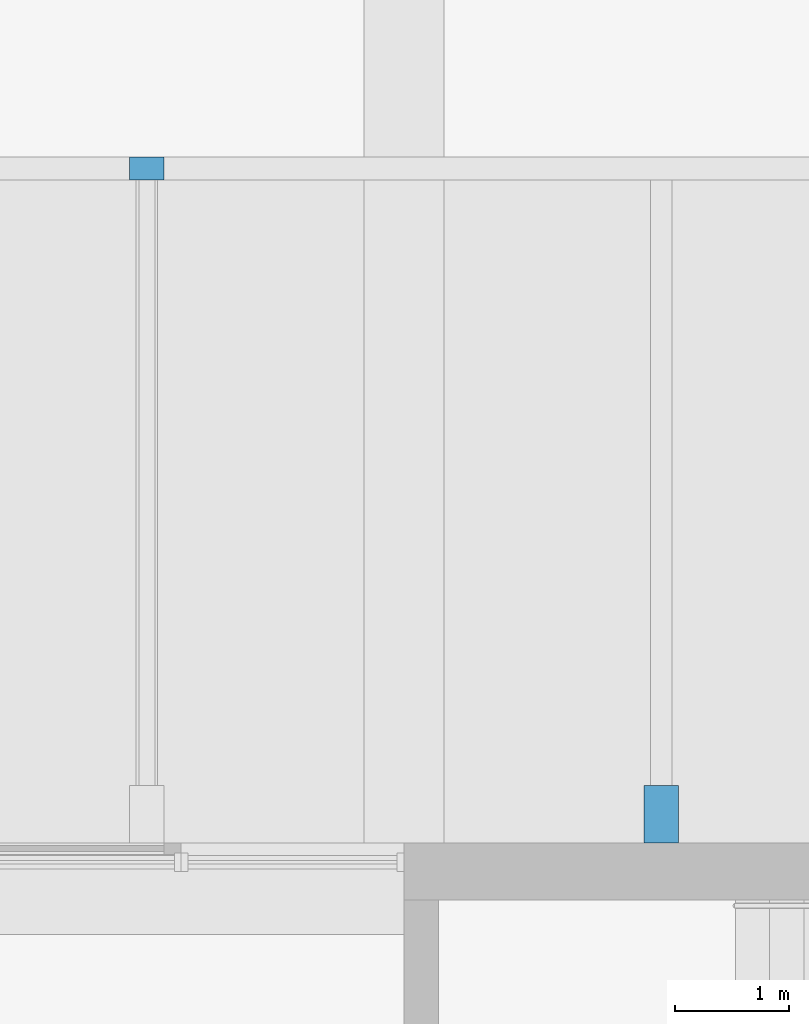
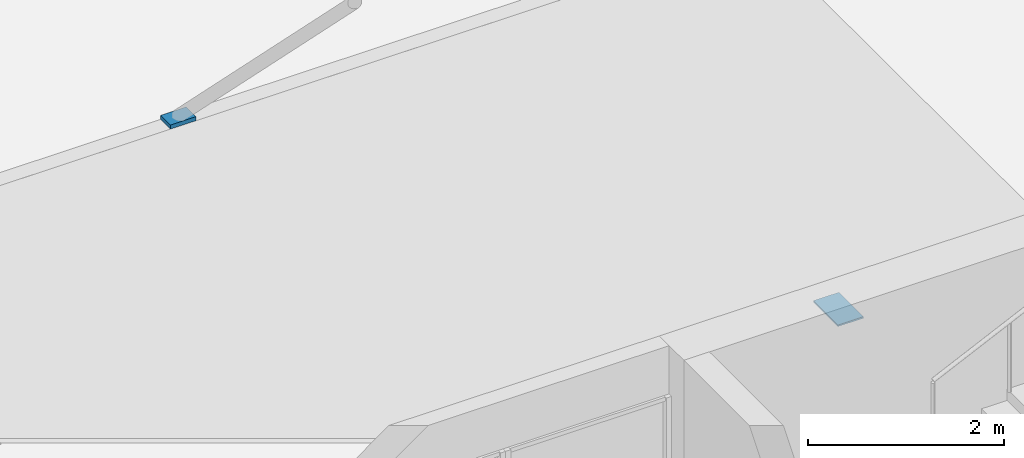
# One storey, part 135 of 168: 2 discrete accessories.
"""IFC4 building model written with IfcOpenShell, lengths in metres."""

from ifc_helpers import new_model, si_unit, direction, frame, origin, origin_2d, place, context, subcontext, project, spatial, rectangle, extrude, material, type_object, element, save


model = new_model("IFC4")

# Units and contexts
model_context = context("Model", 3, precision=1e-05, world=origin(), true_north=direction((0.0, 1.0)))
body_context = subcontext(model_context, "Body", "Model", "MODEL_VIEW")
ifc_project = project(units=[si_unit("LENGTHUNIT", "METRE"), si_unit("AREAUNIT", "SQUARE_METRE"), si_unit("VOLUMEUNIT", "CUBIC_METRE"), si_unit("PLANEANGLEUNIT", "RADIAN"), si_unit("MASSUNIT", "GRAM", prefix="KILO")], contexts=[model_context])

# Site, building, storey
site_placement = place(None, origin())
site = spatial("IfcSite", under=ifc_project, at=site_placement, CompositionType="ELEMENT")
building_placement = place(site_placement, origin())
building = spatial("IfcBuilding", under=site, at=building_placement, Name="Silverbay Arena", CompositionType="ELEMENT")
storey_placement = place(building_placement, frame((0.0, 0.0, 7.0)))
storey = spatial("IfcBuildingStorey", under=building, at=storey_placement, Name="L01", CompositionType="ELEMENT", Elevation=7.0)

# Discrete accessories
ifc_material = material(Name="Steel S355", Category="steel")
discrete_accessory_type = type_object("IfcDiscreteAccessoryType", Name="Steel bracket plate", PredefinedType="BRACKET", material=ifc_material)
discrete_accessory_1_placement = place(storey_placement, frame((191.25, 144.75, 3.8798828125), z_axis=(0.0, 0.0, 1.0), x_axis=(1.0, 0.0, 0.0)))
element("IfcDiscreteAccessory", 1, at=discrete_accessory_1_placement, inside=storey, type_object=discrete_accessory_type, Name="Marquee root cleat plate", PredefinedType="BRACKET", context=body_context, shape_type="SweptSolid", body=[
    extrude(rectangle(XDim=0.300048828125, YDim=0.5, at=origin_2d()), origin(), (0.0, 0.0, 1.0), 0.02001953125),
])
discrete_accessory_2_placement = place(storey_placement, frame((186.75, 150.39990234375, 4.3935546875), z_axis=(0.0, 0.0, 1.0), x_axis=(1.0, 0.0, 0.0)))
element("IfcDiscreteAccessory", 2, at=discrete_accessory_2_placement, inside=storey, type_object=discrete_accessory_type, Name="Marquee tie lug plate", PredefinedType="BRACKET", context=body_context, shape_type="SweptSolid", body=[
    extrude(rectangle(XDim=0.300048828125, YDim=0.199951171875, at=origin_2d()), origin(), (0.0, 0.0, 1.0), 0.050048828125),
])

save(model, "model.ifc")
